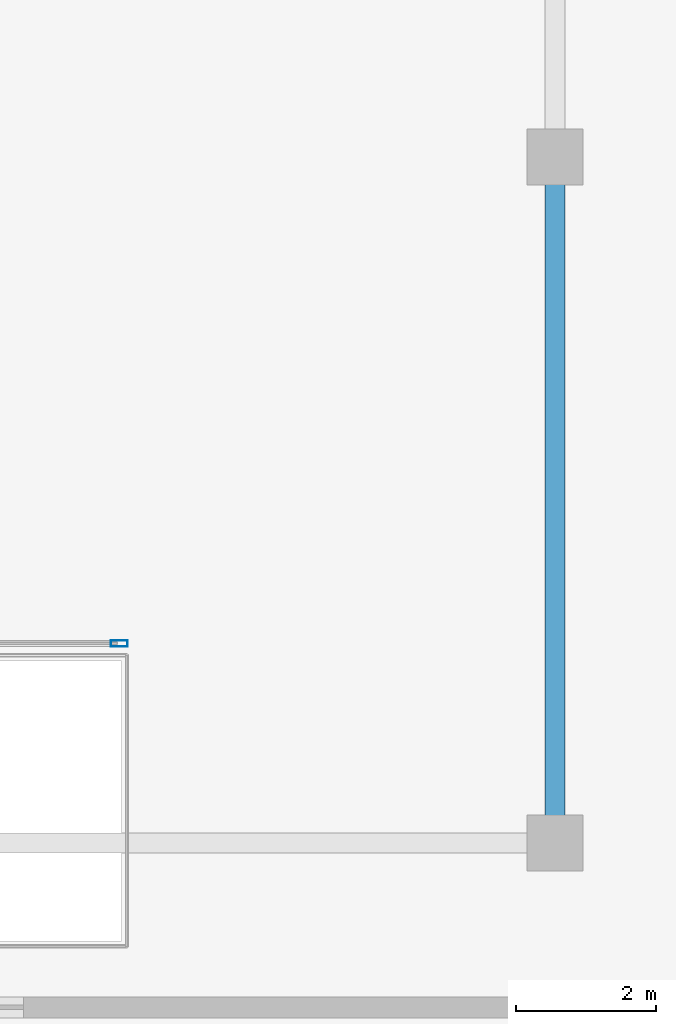
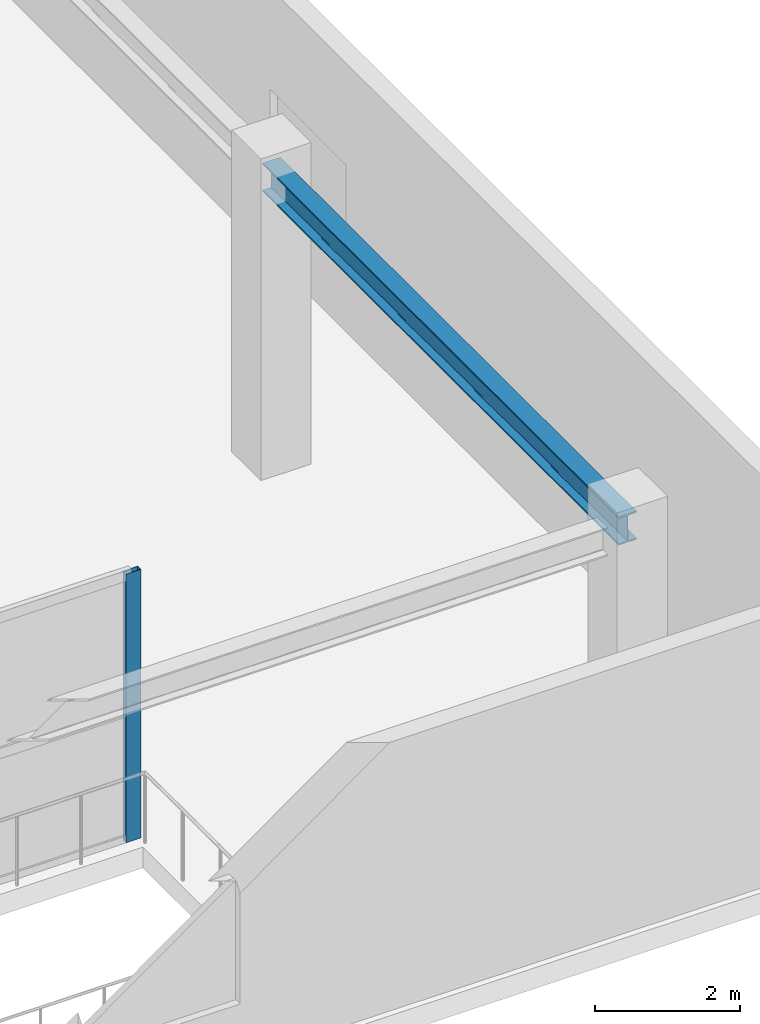
# One storey, part 4 of 16: 1 beam, 1 member, 1 element without a shape of its own.
"""IFC4 building model written with IfcOpenShell, lengths in metres."""

from ifc_helpers import new_model, si_unit, direction, frame, origin, origin_2d, place, context, subcontext, project, spatial, hollow_rectangle, i_section, extrude, material, layer, layer_set, material_profile, profile_set, type_object, element, aggregate, save


model = new_model("IFC4")

# Units and contexts
model_context = context("Model", 3, precision=1e-05, world=origin(), true_north=direction((0.0, 1.0)))
body_context = subcontext(model_context, "Body", "Model", "MODEL_VIEW")
ifc_project = project(units=[si_unit("LENGTHUNIT", "METRE"), si_unit("AREAUNIT", "SQUARE_METRE"), si_unit("VOLUMEUNIT", "CUBIC_METRE"), si_unit("PLANEANGLEUNIT", "RADIAN"), si_unit("MASSUNIT", "GRAM", prefix="KILO")], contexts=[model_context])

# Site, building, storey
site_placement = place(None, origin())
site = spatial("IfcSite", under=ifc_project, at=site_placement, CompositionType="ELEMENT")
building_placement = place(site_placement, origin())
building = spatial("IfcBuilding", under=site, at=building_placement, Name="Bramvorn Convention Spire", CompositionType="ELEMENT")
storey_placement = place(building_placement, frame((0.0, 0.0, 30.0)))
storey = spatial("IfcBuildingStorey", under=building, at=storey_placement, Name="L05", CompositionType="ELEMENT", Elevation=30.0)

# Beam
ifc_material_1 = material(Name="Steel CSA G40.21 Grade 350 (350W)", Category="steel")
ifc_material_profile_1 = material_profile(ifc_material_1, i_section(OverallWidth=0.283935546875, OverallDepth=0.47607421875, WebThickness=0.014892578125, FlangeThickness=0.02392578125, FilletRadius=0.01806640625, at=origin_2d()))
ifc_profile_set_1 = profile_set([ifc_material_profile_1], Name="Steel CSA G40.21 Grade 350 (350W) - W460X158")
beam_type = type_object("IfcBeamType", Name="BM-W460X158", PredefinedType="SPANDREL", material=ifc_profile_set_1)
beam_placement = place(storey_placement, frame((73.199951171875, 2.60009765625, 4.761962890625), z_axis=(0.0, 1.0, 0.0), x_axis=(-1.0, 0.0, 0.0)))
element("IfcBeam", 1, at=beam_placement, inside=storey, type_object=beam_type, Name="L05 podium spandrel beam 05", PredefinedType="SPANDREL", context=body_context, shape_type="SweptSolid", body=[
    extrude(i_section(OverallWidth=0.283935546875, OverallDepth=0.47607421875, WebThickness=0.014892578125, FlangeThickness=0.02392578125, FilletRadius=0.01806640625, at=origin_2d()), origin(), (0.0, 0.0, 1.0), 9.7998046875),
])

# Curtain wall, member
ifc_material_2 = material(Name="Anodised Bronze Unitised Curtain Wall", Category="aluminium")
ifc_layer = layer(ifc_material_2, 0.219970703125)
ifc_layer_set = layer_set([ifc_layer], Name="Anodised Bronze Unitised Curtain Wall - CW-POD-LANCET")
curtain_wall_type = type_object("IfcCurtainWallType", Name="CW-POD-LANCET", PredefinedType="USERDEFINED", material=ifc_layer_set)
curtain_wall_placement = place(storey_placement, origin())
curtain_wall = element("IfcCurtainWall", 2, at=curtain_wall_placement, inside=storey, type_object=curtain_wall_type, Name="L05 SE colonnade lancet curtain wall", ObjectType="UNITISED CURTAIN WALL", PredefinedType="USERDEFINED")
ifc_material_3 = material(Name="Anodised Bronze Aluminium 6063-T6", Category="aluminium")
ifc_material_profile_2 = material_profile(ifc_material_3, hollow_rectangle(XDim=0.090087890625, YDim=0.239990234375, WallThickness=0.00439453125, InnerFilletRadius=0.0009765625, OuterFilletRadius=0.00439453125, at=origin_2d()))
ifc_profile_set_2 = profile_set([ifc_material_profile_2], Name="Anodised Bronze Aluminium 6063-T6 - CWM90X240")
member_type = type_object("IfcMemberType", Name="CW-MUL-220", PredefinedType="MULLION", material=ifc_profile_set_2)
member_placement = place(storey_placement, frame((66.969970703125, 5.449951171875, 0.0), z_axis=(0.0, 0.0, 1.0), x_axis=(0.0, 1.0, 0.0)))
member = element("IfcMember", 3, at=member_placement, type_object=member_type, Name="CW1 mullion 3", PredefinedType="MULLION", context=body_context, shape_type="SweptSolid", body=[
    extrude(hollow_rectangle(XDim=0.090087890625, YDim=0.239990234375, WallThickness=0.00439453125, InnerFilletRadius=0.0009765625, OuterFilletRadius=0.00439453125, at=origin_2d()), origin(), (0.0, 0.0, 1.0), 4.510009765625),
])
aggregate(curtain_wall, [member])

save(model, "model.ifc")
